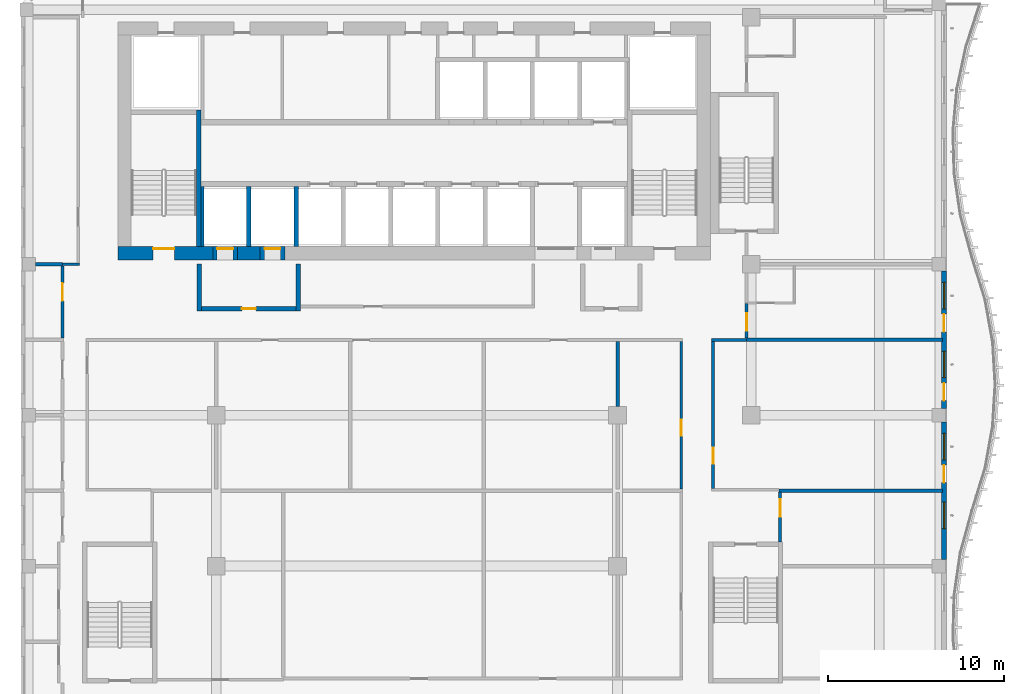
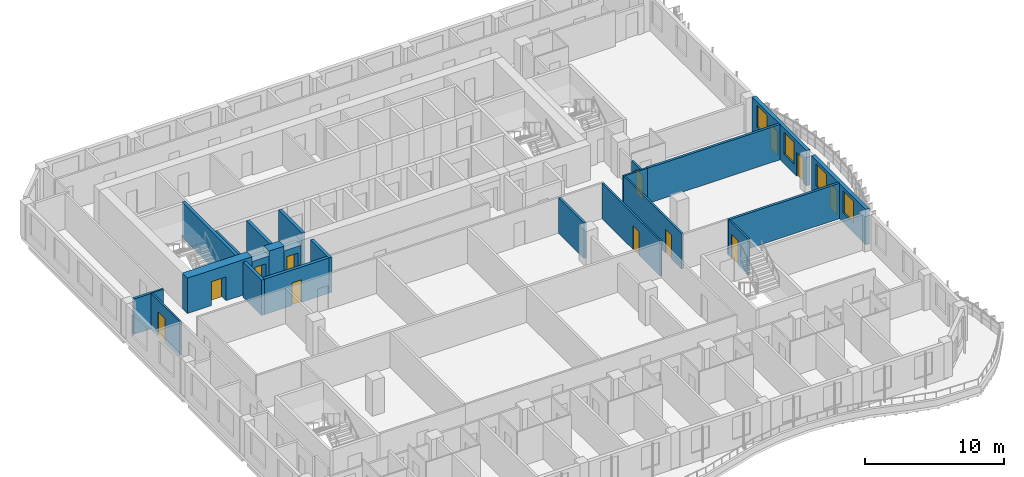
# One storey, part 6 of 23: 24 walls, 12 doors, 4 windows, 16 openings.
"""IFC4 building model written with IfcOpenShell, lengths in metres."""

from ifc_helpers import new_model, si_unit, direction, frame, frame_2d, origin, place, context, subcontext, project, spatial, rectangle, extrude, source, transform, mapped, material, layer, layer_set, type_object, element, fill, save


model = new_model("IFC4")

# Units and contexts
model_context = context("Model", 3, precision=1e-05, world=origin(), true_north=direction((0.0, 1.0)))
body_context = subcontext(model_context, "Body", "Model", "MODEL_VIEW")
ifc_project = project(units=[si_unit("LENGTHUNIT", "METRE"), si_unit("AREAUNIT", "SQUARE_METRE"), si_unit("VOLUMEUNIT", "CUBIC_METRE"), si_unit("PLANEANGLEUNIT", "RADIAN"), si_unit("MASSUNIT", "GRAM", prefix="KILO")], contexts=[model_context])

# Site, building, storey
site_placement = place(None, origin())
site = spatial("IfcSite", under=ifc_project, at=site_placement, CompositionType="ELEMENT")
building_placement = place(site_placement, origin())
building = spatial("IfcBuilding", under=site, at=building_placement, Name="Kilnfold Tower and Market Hall", CompositionType="ELEMENT")
storey_placement = place(building_placement, frame((0.0, 0.0, 203.300048828125)))
storey = spatial("IfcBuildingStorey", under=building, at=storey_placement, Name="L49", CompositionType="ELEMENT", Elevation=203.300048828125)

# Wall
ifc_material_1 = material(Name="Gypsum board on steel studs", Category="steel")
ifc_layer_1 = layer(ifc_material_1, 0.14990234375)
ifc_layer_set_1 = layer_set([ifc_layer_1], Name="Gypsum board on steel studs")
wall_type_1 = type_object("IfcWallType", Name="WALL CORRIDOR 150", PredefinedType="PARTITIONING", material=ifc_layer_set_1)
wall_1_placement = place(storey_placement, frame((-17.925048828125, 8.0, 0.0), z_axis=(0.0, 0.0, 1.0), x_axis=(-1.0, 0.0, 0.0)))
element("IfcWall", 1, at=wall_1_placement, inside=storey, type_object=wall_type_1, Name="Partition LY30.7", PredefinedType="PARTITIONING", context=body_context, shape_type="SweptSolid", body=[
    extrude(rectangle(XDim=0.975830078125, YDim=0.14990234375, at=frame_2d((0.48779296875, 0.0))), origin(), (0.0, 0.0, 1.0), 3.119873046875),
])

# Wall, opening, door
wall_2_placement = place(storey_placement, frame((-18.89990234375, 3.80908203125, 0.0), z_axis=(0.0, 0.0, 1.0), x_axis=(0.0, 1.0, 0.0)))
wall_2 = element("IfcWall", 2, at=wall_2_placement, inside=storey, type_object=wall_type_1, Name="Partition LY30.16", PredefinedType="PARTITIONING", context=body_context, shape_type="SweptSolid", body=[
    extrude(rectangle(XDim=4.091796875, YDim=0.14990234375, at=frame_2d((2.0458984375, 0.0))), origin(), (0.0, 0.0, 1.0), 3.119873046875),
])
opening_1_placement = place(wall_2_placement, frame((2.111083984375, 0.0, 0.0)))
opening_1 = element("IfcOpeningElement", 3, at=opening_1_placement, cuts=wall_2, Name="Opening D4", PredefinedType="OPENING", context=body_context, shape_type="SweptSolid", body=[
    extrude(rectangle(XDim=1.0, YDim=2.10009765625, at=frame_2d((0.5, 1.050048828125))), frame((0.0, 0.0849609375, 0.0), z_axis=(0.0, -1.0, 0.0), x_axis=(1.0, 0.0, 0.0)), (0.0, 0.0, 1.0), 0.169921875),
])
ifc_material_2 = material(Name="Timber veneer door leaf in steel frame", Category="steel")
door_type_1 = type_object("IfcDoorType", Name="DOOR SERVICE 1000 X2100", OperationType="NOTDEFINED", PredefinedType="DOOR", material=ifc_material_2)
door_1_placement = place(opening_1_placement, origin())
door_1 = element("IfcDoor", 4, at=door_1_placement, inside=storey, type_object=door_type_1, Name="Door D4", OperationType="SINGLE_SWING_LEFT", OverallHeight=2.10009765625, OverallWidth=1.0, PredefinedType="DOOR", context=body_context, shape_type="SweptSolid", body=[
    extrude(rectangle(XDim=1.0, YDim=2.10009765625, at=frame_2d((0.5, 1.050048828125))), frame((0.0, 0.02490234375, 0.0), z_axis=(0.0, -1.0, 0.0), x_axis=(1.0, 0.0, 0.0)), (0.0, 0.0, 1.0), 0.050048828125),
])
fill(opening_1, door_1)

wall_3_placement = place(storey_placement, frame((19.89990234375, 3.80908203125, 0.0), z_axis=(0.0, 0.0, 1.0), x_axis=(0.0, 1.0, 0.0)))
wall_3 = element("IfcWall", 5, at=wall_3_placement, inside=storey, type_object=wall_type_1, Name="Partition LY30.18", PredefinedType="PARTITIONING", context=body_context, shape_type="SweptSolid", body=[
    extrude(rectangle(XDim=1.950927734375, YDim=0.14990234375, at=frame_2d((0.9755859375, 0.0))), origin(), (0.0, 0.0, 1.0), 2.52001953125),
])
opening_2_placement = place(wall_3_placement, frame((0.419921875, 0.0, 0.0)))
opening_2 = element("IfcOpeningElement", 6, at=opening_2_placement, cuts=wall_3, Name="Opening D1", PredefinedType="OPENING", context=body_context, shape_type="SweptSolid", body=[
    extrude(rectangle(XDim=1.0, YDim=2.10009765625, at=frame_2d((0.5, 1.050048828125))), frame((0.0, 0.0849609375, 0.0), z_axis=(0.0, -1.0, 0.0), x_axis=(1.0, 0.0, 0.0)), (0.0, 0.0, 1.0), 0.169921875),
])
ifc_material_3 = material(Name="Timber veneer door leaf in steel frame", Category="steel")
door_type_2 = type_object("IfcDoorType", Name="DOOR ENTRY 1000 X2100", OperationType="NOTDEFINED", PredefinedType="DOOR", material=ifc_material_3)
door_2_placement = place(opening_2_placement, origin())
door_2 = element("IfcDoor", 7, at=door_2_placement, inside=storey, type_object=door_type_2, Name="Door D1", OperationType="SINGLE_SWING_LEFT", OverallHeight=2.10009765625, OverallWidth=1.0, PredefinedType="DOOR", context=body_context, shape_type="SweptSolid", body=[
    extrude(rectangle(XDim=1.0, YDim=2.10009765625, at=frame_2d((0.5, 1.050048828125))), frame((0.0, 0.02490234375, 0.0), z_axis=(0.0, -1.0, 0.0), x_axis=(1.0, 0.0, 0.0)), (0.0, 0.0, 1.0), 0.050048828125),
])
fill(opening_2, door_2)

# Wall
wall_4_placement = place(storey_placement, frame((17.925048828125, 3.699951171875, 0.0), z_axis=(0.0, 0.0, 1.0), x_axis=(1.0, 0.0, 0.0)))
element("IfcWall", 8, at=wall_4_placement, inside=storey, type_object=wall_type_1, Name="Partition LY30.25", PredefinedType="PARTITIONING", context=body_context, shape_type="SweptSolid", body=[
    extrude(rectangle(XDim=1.974853515625, YDim=0.14990234375, at=frame_2d((0.9873046875, 0.0))), origin(), (0.0, 0.0, 1.0), 3.119873046875),
])

# Wall, opening, door
wall_5_placement = place(storey_placement, frame((18.0, -4.72509765625, 0.0), z_axis=(0.0, 0.0, 1.0), x_axis=(0.0, 1.0, 0.0)))
wall_5 = element("IfcWall", 9, at=wall_5_placement, inside=storey, type_object=wall_type_1, Name="Partition LY30.26", PredefinedType="PARTITIONING", context=body_context, shape_type="SweptSolid", body=[
    extrude(rectangle(XDim=8.35009765625, YDim=0.14990234375, at=frame_2d((4.175048828125, 0.0))), origin(), (0.0, 0.0, 1.0), 3.119873046875),
])
opening_3_placement = place(wall_5_placement, frame((1.408935546875, 0.0, 0.0)))
opening_3 = element("IfcOpeningElement", 10, at=opening_3_placement, cuts=wall_5, Name="Opening D2", PredefinedType="OPENING", context=body_context, shape_type="SweptSolid", body=[
    extrude(rectangle(XDim=0.89990234375, YDim=2.10009765625, at=frame_2d((0.449951171875, 1.050048828125))), frame((0.0, 0.0849609375, 0.0), z_axis=(0.0, -1.0, 0.0), x_axis=(1.0, 0.0, 0.0)), (0.0, 0.0, 1.0), 0.169921875),
])
ifc_material_4 = material(Name="Timber veneer door leaf in steel frame", Category="steel")
door_type_3 = type_object("IfcDoorType", Name="DOOR ROOM 900 X2100", OperationType="NOTDEFINED", PredefinedType="DOOR", material=ifc_material_4)
door_3_placement = place(opening_3_placement, origin())
door_3 = element("IfcDoor", 11, at=door_3_placement, inside=storey, type_object=door_type_3, Name="Door D2", OperationType="SINGLE_SWING_LEFT", OverallHeight=2.10009765625, OverallWidth=0.89990234375, PredefinedType="DOOR", context=body_context, shape_type="SweptSolid", body=[
    extrude(rectangle(XDim=0.89990234375, YDim=2.10009765625, at=frame_2d((0.449951171875, 1.050048828125))), frame((0.0, 0.02490234375, 0.0), z_axis=(0.0, -1.0, 0.0), x_axis=(1.0, 0.0, 0.0)), (0.0, 0.0, 1.0), 0.050048828125),
])
fill(opening_3, door_3)

wall_6_placement = place(storey_placement, frame((21.800048828125, -7.75, 0.0), z_axis=(0.0, 0.0, 1.0), x_axis=(0.0, 1.0, 0.0)))
wall_6 = element("IfcWall", 12, at=wall_6_placement, inside=storey, type_object=wall_type_1, Name="Partition LY30.28", PredefinedType="PARTITIONING", context=body_context, shape_type="SweptSolid", body=[
    extrude(rectangle(XDim=2.81689453125, YDim=0.14990234375, at=frame_2d((1.408447265625, 0.0))), origin(), (0.0, 0.0, 1.0), 3.119873046875),
])
opening_4_placement = place(wall_6_placement, frame((1.4150390625, 0.0, 0.0)))
opening_4 = element("IfcOpeningElement", 13, at=opening_4_placement, cuts=wall_6, Name="Opening D4", PredefinedType="OPENING", context=body_context, shape_type="SweptSolid", body=[
    extrude(rectangle(XDim=1.0, YDim=2.10009765625, at=frame_2d((0.5, 1.050048828125))), frame((0.0, 0.0849609375, 0.0), z_axis=(0.0, -1.0, 0.0), x_axis=(1.0, 0.0, 0.0)), (0.0, 0.0, 1.0), 0.169921875),
])
door_4_placement = place(opening_4_placement, origin())
door_4 = element("IfcDoor", 14, at=door_4_placement, inside=storey, type_object=door_type_1, Name="Door D4", OperationType="SINGLE_SWING_LEFT", OverallHeight=2.10009765625, OverallWidth=1.0, PredefinedType="DOOR", context=body_context, shape_type="SweptSolid", body=[
    extrude(rectangle(XDim=1.0, YDim=2.10009765625, at=frame_2d((0.5, 1.050048828125))), frame((0.0, 0.02490234375, 0.0), z_axis=(0.0, -1.0, 0.0), x_axis=(1.0, 0.0, 0.0)), (0.0, 0.0, 1.0), 0.050048828125),
])
fill(opening_4, door_4)

wall_7_placement = place(storey_placement, frame((16.199951171875, -4.7529296875, 0.0), z_axis=(0.0, 0.0, 1.0), x_axis=(0.0, 1.0, 0.0)))
wall_7 = element("IfcWall", 15, at=wall_7_placement, inside=storey, type_object=wall_type_1, Name="Partition LY30.37", PredefinedType="PARTITIONING", context=body_context, shape_type="SweptSolid", body=[
    extrude(rectangle(XDim=8.3779296875, YDim=0.14990234375, at=frame_2d((4.18896484375, 0.0))), origin(), (0.0, 0.0, 1.0), 3.119873046875),
])
opening_5_placement = place(wall_7_placement, frame((3.031005859375, 0.0, 0.0)))
opening_5 = element("IfcOpeningElement", 16, at=opening_5_placement, cuts=wall_7, Name="Opening D2", PredefinedType="OPENING", context=body_context, shape_type="SweptSolid", body=[
    extrude(rectangle(XDim=0.89990234375, YDim=2.10009765625, at=frame_2d((0.449951171875, 1.050048828125))), frame((0.0, 0.0849609375, 0.0), z_axis=(0.0, -1.0, 0.0), x_axis=(1.0, 0.0, 0.0)), (0.0, 0.0, 1.0), 0.169921875),
])
door_5_placement = place(opening_5_placement, origin())
door_5 = element("IfcDoor", 17, at=door_5_placement, inside=storey, type_object=door_type_3, Name="Door D2", OperationType="SINGLE_SWING_LEFT", OverallHeight=2.10009765625, OverallWidth=0.89990234375, PredefinedType="DOOR", context=body_context, shape_type="SweptSolid", body=[
    extrude(rectangle(XDim=0.89990234375, YDim=2.10009765625, at=frame_2d((0.449951171875, 1.050048828125))), frame((0.0, 0.02490234375, 0.0), z_axis=(0.0, -1.0, 0.0), x_axis=(1.0, 0.0, 0.0)), (0.0, 0.0, 1.0), 0.050048828125),
])
fill(opening_5, door_5)

# Walls
ifc_material_5 = material(Name="Gypsum board on steel studs", Category="steel")
ifc_layer_2 = layer(ifc_material_5, 0.199951171875)
ifc_layer_set_2 = layer_set([ifc_layer_2], Name="Gypsum board on steel studs")
wall_type_2 = type_object("IfcWallType", Name="WALL PARTY 200", PredefinedType="PARTITIONING", material=ifc_layer_set_2)
wall_8_placement = place(storey_placement, frame((-20.425048828125, 8.0, 0.0), z_axis=(0.0, 0.0, 1.0), x_axis=(0.999999794741, 0.000640717472, 0.0)))
element("IfcWall", 18, at=wall_8_placement, inside=storey, type_object=wall_type_2, Name="Partition LY30.81", PredefinedType="PARTITIONING", context=body_context, shape_type="SweptSolid", body=[
    extrude(rectangle(XDim=1.524169921875, YDim=0.199951171875, at=frame_2d((0.76220703125, 0.0))), origin(), (0.0, 0.0, 1.0), 3.119873046875),
])
wall_9_placement = place(storey_placement, frame((19.902099609375, 3.718994140625, 0.0), z_axis=(0.0, 0.0, 1.0), x_axis=(1.0, 0.0, 0.0)))
element("IfcWall", 19, at=wall_9_placement, inside=storey, type_object=wall_type_2, Name="Partition LY30.91", PredefinedType="PARTITIONING", context=body_context, shape_type="SweptSolid", body=[
    extrude(rectangle(XDim=11.097900390625, YDim=0.199951171875, at=frame_2d((5.548828125, 0.0))), origin(), (0.0, 0.0, 1.0), 3.119873046875),
])
wall_10_placement = place(storey_placement, frame((21.72705078125, -4.843017578125, 0.0), z_axis=(0.0, 0.0, 1.0), x_axis=(1.0, 0.0, 0.0)))
element("IfcWall", 20, at=wall_10_placement, inside=storey, type_object=wall_type_2, Name="Partition LY30.97", PredefinedType="PARTITIONING", context=body_context, shape_type="SweptSolid", body=[
    extrude(rectangle(XDim=9.27294921875, YDim=0.199951171875, at=frame_2d((4.636474609375, 0.0))), origin(), (0.0, 0.0, 1.0), 3.119873046875),
])
wall_11_placement = place(storey_placement, frame((12.5830078125, -0.06201171875, 0.0), z_axis=(0.0, 0.0, 1.0), x_axis=(0.0, 1.0, 0.0)))
element("IfcWall", 21, at=wall_11_placement, inside=storey, type_object=wall_type_2, Name="Partition LY30.115", PredefinedType="PARTITIONING", context=body_context, shape_type="SweptSolid", body=[
    extrude(rectangle(XDim=3.68505859375, YDim=0.199951171875, at=frame_2d((1.842529296875, 0.0))), origin(), (0.0, 0.0, 1.0), 3.119873046875),
])
ifc_material_6 = material(Name="Concrete C60", Category="concrete")
ifc_layer_3 = layer(ifc_material_6, 0.25)
ifc_layer_set_3 = layer_set([ifc_layer_3], Name="Concrete C60")
wall_type_3 = type_object("IfcWallType", Name="CORE WALL 250 C60", PredefinedType="SHEAR", material=ifc_layer_set_3)
shared_shape_1 = source(origin(), body_context, "Body", "SweptSolid", [
    extrude(rectangle(XDim=7.75, YDim=0.25, at=frame_2d((3.875, 0.0))), origin(), (0.0, 0.0, 1.0), 3.119873046875),
])
wall_12_placement = place(storey_placement, frame((-11.175048828125, 9.0, 0.0), z_axis=(0.0, 0.0, 1.0), x_axis=(0.0, 1.0, 0.0)))
element("IfcWall", 22, at=wall_12_placement, inside=storey, type_object=wall_type_3, Name="Stair enclosure ST1", PredefinedType="SHEAR", context=body_context, shape_type="MappedRepresentation", body=[
    mapped(shared_shape_1, transform((0.0, 0.0, 0.0))),
])

# Wall, opening, door
ifc_material_7 = material(Name="Concrete C60", Category="concrete")
ifc_layer_4 = layer(ifc_material_7, 0.75)
ifc_layer_set_4 = layer_set([ifc_layer_4], Name="Concrete C60")
wall_type_4 = type_object("IfcWallType", Name="CORE WALL 750 C60", PredefinedType="SHEAR", material=ifc_layer_set_4)
shared_shape_2 = source(origin(), body_context, "Body", "SweptSolid", [
    extrude(rectangle(XDim=5.3798828125, YDim=0.75, at=frame_2d((2.68994140625, 0.0))), origin(), (0.0, 0.0, 1.0), 3.119873046875),
])
wall_13_placement = place(storey_placement, frame((-15.75, 8.625, 0.0), z_axis=(0.0, 0.0, 1.0), x_axis=(1.0, 0.0, 0.0)))
wall_13 = element("IfcWall", 23, at=wall_13_placement, inside=storey, type_object=wall_type_4, Name="Core outer wall south", PredefinedType="SHEAR", context=body_context, shape_type="MappedRepresentation", body=[
    mapped(shared_shape_2, transform((0.0, 0.0, 0.0))),
])
opening_6_placement = place(wall_13_placement, frame((2.0, 0.0, 0.0)))
opening_6 = element("IfcOpeningElement", 24, at=opening_6_placement, cuts=wall_13, Name="Opening SD1", PredefinedType="OPENING", context=body_context, shape_type="SweptSolid", body=[
    extrude(rectangle(XDim=1.199951171875, YDim=2.10009765625, at=frame_2d((0.60009765625, 1.050048828125))), frame((0.0, 0.385009765625, 0.0), z_axis=(0.0, -1.0, 0.0), x_axis=(1.0, 0.0, 0.0)), (0.0, 0.0, 1.0), 0.77001953125),
])
ifc_material_8 = material(Name="Steel door set with fire-resisting leaf", Category="steel")
door_type_4 = type_object("IfcDoorType", Name="STAIR FLOOR DOOR 1200X2100", OperationType="NOTDEFINED", PredefinedType="DOOR", material=ifc_material_8)
door_6_placement = place(opening_6_placement, origin())
door_6 = element("IfcDoor", 25, at=door_6_placement, inside=storey, type_object=door_type_4, Name="Exit stair ST1 door", OperationType="DOUBLE_DOOR_SINGLE_SWING", OverallHeight=2.10009765625, OverallWidth=1.199951171875, PredefinedType="DOOR", context=body_context, shape_type="SweptSolid", body=[
    extrude(rectangle(XDim=1.199951171875, YDim=2.10009765625, at=frame_2d((0.60009765625, 1.050048828125))), frame((0.0, 0.27978515625, 0.0), z_axis=(0.0, -1.0, 0.0), x_axis=(1.0, 0.0, 0.0)), (0.0, 0.0, 1.0), 0.050048828125),
])
fill(opening_6, door_6)

# Wall
shared_shape_3 = source(origin(), body_context, "Body", "SweptSolid", [
    extrude(rectangle(XDim=1.280029296875, YDim=0.75, at=frame_2d((0.64013671875, 0.0))), origin(), (0.0, 0.0, 1.0), 3.119873046875),
])
wall_14_placement = place(storey_placement, frame((-8.969970703125, 8.625, 0.0), z_axis=(0.0, 0.0, 1.0), x_axis=(1.0, 0.0, 0.0)))
element("IfcWall", 26, at=wall_14_placement, inside=storey, type_object=wall_type_4, Name="Core outer wall south", PredefinedType="SHEAR", context=body_context, shape_type="MappedRepresentation", body=[
    mapped(shared_shape_3, transform((0.0, 0.0, 0.0))),
])

# Wall, openings, door, windows
ifc_material_9 = material(Name="Precast concrete C50/60", Category="concrete")
ifc_layer_5 = layer(ifc_material_9, 0.300048828125)
ifc_layer_set_5 = layer_set([ifc_layer_5], Name="Precast concrete C50/60")
wall_type_5 = type_object("IfcWallType", Name="PRECAST WALL 300", PredefinedType="SOLIDWALL", material=ifc_layer_set_5)
shared_shape_4 = source(origin(), body_context, "Body", "SweptSolid", [
    extrude(rectangle(XDim=7.8125, YDim=0.300048828125, at=frame_2d((3.90625, 0.0))), origin(), (0.0, 0.0, 1.0), 3.119873046875),
])
wall_15_placement = place(storey_placement, frame((31.10009765625, -8.75, 0.0), z_axis=(0.0, 0.0, 1.0), x_axis=(0.0, 1.0, 0.0)))
wall_15 = element("IfcWall", 27, at=wall_15_placement, inside=storey, type_object=wall_type_5, Name="External wall L49 E", PredefinedType="SOLIDWALL", context=body_context, shape_type="MappedRepresentation", body=[
    mapped(shared_shape_4, transform((0.0, 0.0, 0.0))),
])
opening_7_placement = place(wall_15_placement, frame((1.75, 0.0, 0.85009765625)))
opening_7 = element("IfcOpeningElement", 28, at=opening_7_placement, cuts=wall_15, Name="Opening W4", PredefinedType="OPENING", context=body_context, shape_type="SweptSolid", body=[
    extrude(rectangle(XDim=1.5, YDim=1.949951171875, at=frame_2d((0.75, 0.97509765625))), frame((0.0, 0.16015625, 0.0), z_axis=(0.0, -1.0, 0.0), x_axis=(1.0, 0.0, 0.0)), (0.0, 0.0, 1.0), 0.320068359375),
])
opening_8_placement = place(wall_15_placement, frame((5.65625, 0.0, 0.85009765625)))
opening_8 = element("IfcOpeningElement", 29, at=opening_8_placement, cuts=wall_15, Name="Opening W4", PredefinedType="OPENING", context=body_context, shape_type="SweptSolid", body=[
    extrude(rectangle(XDim=1.5, YDim=1.949951171875, at=frame_2d((0.75, 0.97509765625))), frame((0.0, 0.16015625, 0.0), z_axis=(0.0, -1.0, 0.0), x_axis=(1.0, 0.0, 0.0)), (0.0, 0.0, 1.0), 0.320068359375),
])
opening_9_placement = place(wall_15_placement, frame((4.356201171875, 0.0, 0.0)))
opening_9 = element("IfcOpeningElement", 30, at=opening_9_placement, cuts=wall_15, Name="Opening BD1", PredefinedType="OPENING", context=body_context, shape_type="SweptSolid", body=[
    extrude(rectangle(XDim=1.0, YDim=2.10009765625, at=frame_2d((0.5, 1.050048828125))), frame((0.0, 0.16015625, 0.0), z_axis=(0.0, -1.0, 0.0), x_axis=(1.0, 0.0, 0.0)), (0.0, 0.0, 1.0), 0.320068359375),
])
ifc_material_10 = material(Name="Aluminium frame and double glazing", Category="aluminium")
door_type_5 = type_object("IfcDoorType", Name="BALCONY DOOR 1000X2100", OperationType="NOTDEFINED", PredefinedType="DOOR", material=ifc_material_10)
door_7_placement = place(opening_9_placement, origin())
door_7 = element("IfcDoor", 31, at=door_7_placement, inside=storey, type_object=door_type_5, Name="Balcony door BD1 L49 E-2", OperationType="SINGLE_SWING_RIGHT", OverallHeight=2.10009765625, OverallWidth=1.0, PredefinedType="DOOR", context=body_context, shape_type="SweptSolid", body=[
    extrude(rectangle(XDim=1.0, YDim=2.10009765625, at=frame_2d((0.5, 1.050048828125))), frame((0.0, 0.02490234375, 0.0), z_axis=(0.0, -1.0, 0.0), x_axis=(1.0, 0.0, 0.0)), (0.0, 0.0, 1.0), 0.050048828125),
])
fill(opening_9, door_7)
ifc_material_11 = material(Name="Aluminium frame and double glazing", Category="aluminium")
window_type = type_object("IfcWindowType", Name="WINDOW W4 1500X1950", PartitioningType="SINGLE_PANEL", PredefinedType="WINDOW", material=ifc_material_11)
window_1_placement = place(opening_7_placement, origin())
window_1 = element("IfcWindow", 32, at=window_1_placement, inside=storey, type_object=window_type, Name="Window W4 L49 E-1", OverallHeight=1.949951171875, OverallWidth=1.5, PartitioningType="SINGLE_PANEL", PredefinedType="WINDOW", context=body_context, shape_type="SweptSolid", body=[
    extrude(rectangle(XDim=1.5, YDim=1.949951171875, at=frame_2d((0.75, 0.97509765625))), frame((0.0, 0.030029296875, 0.0), z_axis=(0.0, -1.0, 0.0), x_axis=(1.0, 0.0, 0.0)), (0.0, 0.0, 1.0), 0.06005859375),
])
fill(opening_7, window_1)
window_2_placement = place(opening_8_placement, origin())
window_2 = element("IfcWindow", 33, at=window_2_placement, inside=storey, type_object=window_type, Name="Window W4 L49 E-2", OverallHeight=1.949951171875, OverallWidth=1.5, PartitioningType="SINGLE_PANEL", PredefinedType="WINDOW", context=body_context, shape_type="SweptSolid", body=[
    extrude(rectangle(XDim=1.5, YDim=1.949951171875, at=frame_2d((0.75, 0.97509765625))), frame((0.0, 0.030029296875, 0.0), z_axis=(0.0, -1.0, 0.0), x_axis=(1.0, 0.0, 0.0)), (0.0, 0.0, 1.0), 0.06005859375),
])
fill(opening_8, window_2)

# Wall, openings, doors, windows
wall_16_placement = place(storey_placement, frame((31.10009765625, -0.1875, 0.0), z_axis=(0.0, 0.0, 1.0), x_axis=(0.0, 1.0, 0.0)))
wall_16 = element("IfcWall", 34, at=wall_16_placement, inside=storey, type_object=wall_type_5, Name="External wall L49 E", PredefinedType="SOLIDWALL", context=body_context, shape_type="MappedRepresentation", body=[
    mapped(shared_shape_4, transform((0.0, 0.0, 0.0))),
])
opening_10_placement = place(wall_16_placement, frame((1.75, 0.0, 0.85009765625)))
opening_10 = element("IfcOpeningElement", 35, at=opening_10_placement, cuts=wall_16, Name="Opening W4", PredefinedType="OPENING", context=body_context, shape_type="SweptSolid", body=[
    extrude(rectangle(XDim=1.5, YDim=1.949951171875, at=frame_2d((0.75, 0.97509765625))), frame((0.0, 0.16015625, 0.0), z_axis=(0.0, -1.0, 0.0), x_axis=(1.0, 0.0, 0.0)), (0.0, 0.0, 1.0), 0.320068359375),
])
opening_11_placement = place(wall_16_placement, frame((0.449951171875, 0.0, 0.0)))
opening_11 = element("IfcOpeningElement", 36, at=opening_11_placement, cuts=wall_16, Name="Opening BD1", PredefinedType="OPENING", context=body_context, shape_type="SweptSolid", body=[
    extrude(rectangle(XDim=1.0, YDim=2.10009765625, at=frame_2d((0.5, 1.050048828125))), frame((0.0, 0.16015625, 0.0), z_axis=(0.0, -1.0, 0.0), x_axis=(1.0, 0.0, 0.0)), (0.0, 0.0, 1.0), 0.320068359375),
])
opening_12_placement = place(wall_16_placement, frame((5.65625, 0.0, 0.85009765625)))
opening_12 = element("IfcOpeningElement", 37, at=opening_12_placement, cuts=wall_16, Name="Opening W4", PredefinedType="OPENING", context=body_context, shape_type="SweptSolid", body=[
    extrude(rectangle(XDim=1.5, YDim=1.949951171875, at=frame_2d((0.75, 0.97509765625))), frame((0.0, 0.16015625, 0.0), z_axis=(0.0, -1.0, 0.0), x_axis=(1.0, 0.0, 0.0)), (0.0, 0.0, 1.0), 0.320068359375),
])
opening_13_placement = place(wall_16_placement, frame((4.356201171875, 0.0, 0.0)))
opening_13 = element("IfcOpeningElement", 38, at=opening_13_placement, cuts=wall_16, Name="Opening BD1", PredefinedType="OPENING", context=body_context, shape_type="SweptSolid", body=[
    extrude(rectangle(XDim=1.0, YDim=2.10009765625, at=frame_2d((0.5, 1.050048828125))), frame((0.0, 0.16015625, 0.0), z_axis=(0.0, -1.0, 0.0), x_axis=(1.0, 0.0, 0.0)), (0.0, 0.0, 1.0), 0.320068359375),
])
door_8_placement = place(opening_11_placement, origin())
door_8 = element("IfcDoor", 39, at=door_8_placement, inside=storey, type_object=door_type_5, Name="Balcony door BD1 L49 E-1", OperationType="SINGLE_SWING_LEFT", OverallHeight=2.10009765625, OverallWidth=1.0, PredefinedType="DOOR", context=body_context, shape_type="SweptSolid", body=[
    extrude(rectangle(XDim=1.0, YDim=2.10009765625, at=frame_2d((0.5, 1.050048828125))), frame((0.0, 0.02490234375, 0.0), z_axis=(0.0, -1.0, 0.0), x_axis=(1.0, 0.0, 0.0)), (0.0, 0.0, 1.0), 0.050048828125),
])
fill(opening_11, door_8)
door_9_placement = place(opening_13_placement, origin())
door_9 = element("IfcDoor", 40, at=door_9_placement, inside=storey, type_object=door_type_5, Name="Balcony door BD1 L49 E-2", OperationType="SINGLE_SWING_RIGHT", OverallHeight=2.10009765625, OverallWidth=1.0, PredefinedType="DOOR", context=body_context, shape_type="SweptSolid", body=[
    extrude(rectangle(XDim=1.0, YDim=2.10009765625, at=frame_2d((0.5, 1.050048828125))), frame((0.0, 0.02490234375, 0.0), z_axis=(0.0, -1.0, 0.0), x_axis=(1.0, 0.0, 0.0)), (0.0, 0.0, 1.0), 0.050048828125),
])
fill(opening_13, door_9)
window_3_placement = place(opening_10_placement, origin())
window_3 = element("IfcWindow", 41, at=window_3_placement, inside=storey, type_object=window_type, Name="Window W4 L49 E-1", OverallHeight=1.949951171875, OverallWidth=1.5, PartitioningType="SINGLE_PANEL", PredefinedType="WINDOW", context=body_context, shape_type="SweptSolid", body=[
    extrude(rectangle(XDim=1.5, YDim=1.949951171875, at=frame_2d((0.75, 0.97509765625))), frame((0.0, 0.030029296875, 0.0), z_axis=(0.0, -1.0, 0.0), x_axis=(1.0, 0.0, 0.0)), (0.0, 0.0, 1.0), 0.06005859375),
])
fill(opening_10, window_3)
window_4_placement = place(opening_12_placement, origin())
window_4 = element("IfcWindow", 42, at=window_4_placement, inside=storey, type_object=window_type, Name="Window W4 L49 E-2", OverallHeight=1.949951171875, OverallWidth=1.5, PartitioningType="SINGLE_PANEL", PredefinedType="WINDOW", context=body_context, shape_type="SweptSolid", body=[
    extrude(rectangle(XDim=1.5, YDim=1.949951171875, at=frame_2d((0.75, 0.97509765625))), frame((0.0, 0.030029296875, 0.0), z_axis=(0.0, -1.0, 0.0), x_axis=(1.0, 0.0, 0.0)), (0.0, 0.0, 1.0), 0.06005859375),
])
fill(opening_12, window_4)

# Walls
ifc_material_12 = material(Name="Gypsum shaft wall system")
ifc_layer_6 = layer(ifc_material_12, 0.25)
ifc_layer_set_6 = layer_set([ifc_layer_6], Name="Gypsum shaft wall system")
wall_type_6 = type_object("IfcWallType", Name="LOBBY WALL 250", PredefinedType="PARTITIONING", material=ifc_layer_set_6)
shared_shape_5 = source(origin(), body_context, "Body", "SweptSolid", [
    extrude(rectangle(XDim=2.64990234375, YDim=0.25, at=frame_2d((1.324951171875, 0.0))), origin(), (0.0, 0.0, 1.0), 3.119873046875),
])
for number, where, z_axis, x_axis, name in (
    (43, (-11.135009765625, 5.35009765625, 0.0), (0.0, 0.0, 1.0), (0.0, 1.0, 0.0), "Firefighting lobby wall"),
    (44, (-5.52490234375, 5.35009765625, 0.0), (0.0, 0.0, 1.0), (0.0, 1.0, 0.0), "Firefighting lobby wall"),
):
    element("IfcWall", number, at=place(storey_placement, frame(where, z_axis=z_axis, x_axis=x_axis)), inside=storey, type_object=wall_type_6, Name=name, PredefinedType="PARTITIONING", context=body_context, shape_type="MappedRepresentation", body=[
        mapped(shared_shape_5, transform((0.0, 0.0, 0.0))),
    ])

# Wall, opening, door
shared_shape_6 = source(origin(), body_context, "Body", "SweptSolid", [
    extrude(rectangle(XDim=5.360107421875, YDim=0.25, at=frame_2d((2.68017578125, 0.0))), origin(), (0.0, 0.0, 1.0), 3.119873046875),
])
wall_17_placement = place(storey_placement, frame((-11.010009765625, 5.47509765625, 0.0), z_axis=(0.0, 0.0, 1.0), x_axis=(1.0, 0.0, 0.0)))
wall_17 = element("IfcWall", 45, at=wall_17_placement, inside=storey, type_object=wall_type_6, Name="Firefighting lobby wall", PredefinedType="PARTITIONING", context=body_context, shape_type="MappedRepresentation", body=[
    mapped(shared_shape_6, transform((0.0, 0.0, 0.0))),
])
opening_14_placement = place(wall_17_placement, frame((2.280029296875, 0.0, 0.0)))
opening_14 = element("IfcOpeningElement", 46, at=opening_14_placement, cuts=wall_17, Name="Opening VD1", PredefinedType="OPENING", context=body_context, shape_type="SweptSolid", body=[
    extrude(rectangle(XDim=0.800048828125, YDim=2.0, at=frame_2d((0.39990234375, 1.0))), frame((0.0, 0.135009765625, 0.0), z_axis=(0.0, -1.0, 0.0), x_axis=(1.0, 0.0, 0.0)), (0.0, 0.0, 1.0), 0.27001953125),
])
ifc_material_13 = material(Name="Steel door set with fire-resisting leaf", Category="steel")
door_type_6 = type_object("IfcDoorType", Name="FIREFIGHTING LOBBY DOOR 800X2000", OperationType="NOTDEFINED", PredefinedType="DOOR", material=ifc_material_13)
door_10_placement = place(opening_14_placement, origin())
door_10 = element("IfcDoor", 47, at=door_10_placement, inside=storey, type_object=door_type_6, Name="Firefighting lobby door", OperationType="SINGLE_SWING_LEFT", OverallHeight=2.0, OverallWidth=0.800048828125, PredefinedType="DOOR", context=body_context, shape_type="SweptSolid", body=[
    extrude(rectangle(XDim=0.800048828125, YDim=2.0, at=frame_2d((0.39990234375, 1.0))), frame((0.0, 0.02490234375, 0.0), z_axis=(0.0, -1.0, 0.0), x_axis=(1.0, 0.0, 0.0)), (0.0, 0.0, 1.0), 0.050048828125),
])
fill(opening_14, door_10)

# Walls
ifc_material_14 = material(Name="Gypsum shaft wall system")
ifc_layer_7 = layer(ifc_material_14, 0.25)
ifc_layer_set_7 = layer_set([ifc_layer_7], Name="Gypsum shaft wall system")
wall_type_7 = type_object("IfcWallType", Name="SHAFT WALL 250", PredefinedType="PARTITIONING", material=ifc_layer_set_7)
shared_shape_7 = source(origin(), body_context, "Body", "SweptSolid", [
    extrude(rectangle(XDim=3.39990234375, YDim=0.25, at=frame_2d((1.699951171875, 0.0))), origin(), (0.0, 0.0, 1.0), 3.119873046875),
])
for number, where, z_axis, x_axis, name in (
    (48, (-5.64990234375, 9.0, 0.0), (0.0, 0.0, 1.0), (0.0, 1.0, 0.0), "Lift shaft wall"),
    (49, (-8.330078125, 9.0, 0.0), (0.0, 0.0, 1.0), (0.0, 1.0, 0.0), "Lift shaft wall"),
):
    element("IfcWall", number, at=place(storey_placement, frame(where, z_axis=z_axis, x_axis=x_axis)), inside=storey, type_object=wall_type_7, Name=name, PredefinedType="PARTITIONING", context=body_context, shape_type="MappedRepresentation", body=[
        mapped(shared_shape_7, transform((0.0, 0.0, 0.0))),
    ])
ifc_material_15 = material(Name="Gypsum shaft wall system")
ifc_layer_8 = layer(ifc_material_15, 0.1650390625)
ifc_layer_set_8 = layer_set([ifc_layer_8], Name="Gypsum shaft wall system")
wall_type_8 = type_object("IfcWallType", Name="SHAFT WALL 165", PredefinedType="PARTITIONING", material=ifc_layer_set_8)
shared_shape_8 = source(origin(), body_context, "Body", "SweptSolid", [
    extrude(rectangle(XDim=3.39990234375, YDim=0.1650390625, at=frame_2d((1.699951171875, 0.0))), origin(), (0.0, 0.0, 1.0), 3.119873046875),
])
wall_18_placement = place(storey_placement, frame((-10.967529296875, 9.0, 0.0), z_axis=(0.0, 0.0, 1.0), x_axis=(0.0, 1.0, 0.0)))
element("IfcWall", 50, at=wall_18_placement, inside=storey, type_object=wall_type_8, Name="Lift shaft wall", PredefinedType="PARTITIONING", context=body_context, shape_type="MappedRepresentation", body=[
    mapped(shared_shape_8, transform((0.0, 0.0, 0.0))),
])

# Wall, opening, door
ifc_material_16 = material(Name="Gypsum shaft wall system")
ifc_layer_9 = layer(ifc_material_16, 0.75)
ifc_layer_set_9 = layer_set([ifc_layer_9], Name="Gypsum shaft wall system")
wall_type_9 = type_object("IfcWallType", Name="LOBBY WALL 750", PredefinedType="PARTITIONING", material=ifc_layer_set_9)
shared_shape_9 = source(origin(), body_context, "Body", "SweptSolid", [
    extrude(rectangle(XDim=1.400146484375, YDim=0.75, at=frame_2d((0.7001953125, 0.0))), origin(), (0.0, 0.0, 1.0), 2.699951171875),
])
wall_19_placement = place(storey_placement, frame((-10.3701171875, 8.625, 0.0), z_axis=(0.0, 0.0, 1.0), x_axis=(1.0, 0.0, 0.0)))
wall_19 = element("IfcWall", 51, at=wall_19_placement, inside=storey, type_object=wall_type_9, Name="Core wall infill", PredefinedType="PARTITIONING", context=body_context, shape_type="MappedRepresentation", body=[
    mapped(shared_shape_9, transform((0.0, 0.0, 0.0))),
])
opening_15_placement = place(wall_19_placement, frame((0.25, 0.0, 0.0)))
opening_15 = element("IfcOpeningElement", 52, at=opening_15_placement, cuts=wall_19, Name="Opening LD1", PredefinedType="OPENING", context=body_context, shape_type="SweptSolid", body=[
    extrude(rectangle(XDim=0.89990234375, YDim=2.10009765625, at=frame_2d((0.449951171875, 1.050048828125))), frame((0.0, 0.385009765625, 0.0), z_axis=(0.0, -1.0, 0.0), x_axis=(1.0, 0.0, 0.0)), (0.0, 0.0, 1.0), 0.77001953125),
])
ifc_material_17 = material(Name="Steel door set with fire-resisting leaf", Category="steel")
door_type_7 = type_object("IfcDoorType", Name="FIREFIGHTING LANDING DOOR 900X2100", OperationType="NOTDEFINED", PredefinedType="DOOR", material=ifc_material_17)
door_11_placement = place(opening_15_placement, origin())
door_11 = element("IfcDoor", 53, at=door_11_placement, inside=storey, type_object=door_type_7, Name="Landing door FF1", OperationType="SLIDING_TO_LEFT", OverallHeight=2.10009765625, OverallWidth=0.89990234375, PredefinedType="DOOR", context=body_context, shape_type="SweptSolid", body=[
    extrude(rectangle(XDim=0.89990234375, YDim=2.10009765625, at=frame_2d((0.449951171875, 1.050048828125))), frame((0.0, 0.27978515625, 0.0), z_axis=(0.0, -1.0, 0.0), x_axis=(1.0, 0.0, 0.0)), (0.0, 0.0, 1.0), 0.050048828125),
])
fill(opening_15, door_11)

shared_shape_10 = source(origin(), body_context, "Body", "SweptSolid", [
    extrude(rectangle(XDim=1.39990234375, YDim=0.75, at=frame_2d((0.699951171875, 0.0))), origin(), (0.0, 0.0, 1.0), 2.699951171875),
])
wall_20_placement = place(storey_placement, frame((-7.68994140625, 8.625, 0.0), z_axis=(0.0, 0.0, 1.0), x_axis=(1.0, 0.0, 0.0)))
wall_20 = element("IfcWall", 54, at=wall_20_placement, inside=storey, type_object=wall_type_9, Name="Core wall infill", PredefinedType="PARTITIONING", context=body_context, shape_type="MappedRepresentation", body=[
    mapped(shared_shape_10, transform((0.0, 0.0, 0.0))),
])
opening_16_placement = place(wall_20_placement, frame((0.25, 0.0, 0.0)))
opening_16 = element("IfcOpeningElement", 55, at=opening_16_placement, cuts=wall_20, Name="Opening LD1", PredefinedType="OPENING", context=body_context, shape_type="SweptSolid", body=[
    extrude(rectangle(XDim=0.89990234375, YDim=2.10009765625, at=frame_2d((0.449951171875, 1.050048828125))), frame((0.0, 0.385009765625, 0.0), z_axis=(0.0, -1.0, 0.0), x_axis=(1.0, 0.0, 0.0)), (0.0, 0.0, 1.0), 0.77001953125),
])
door_12_placement = place(opening_16_placement, origin())
door_12 = element("IfcDoor", 56, at=door_12_placement, inside=storey, type_object=door_type_7, Name="Landing door FF2", OperationType="SLIDING_TO_RIGHT", OverallHeight=2.10009765625, OverallWidth=0.89990234375, PredefinedType="DOOR", context=body_context, shape_type="SweptSolid", body=[
    extrude(rectangle(XDim=0.89990234375, YDim=2.10009765625, at=frame_2d((0.449951171875, 1.050048828125))), frame((0.0, 0.27978515625, 0.0), z_axis=(0.0, -1.0, 0.0), x_axis=(1.0, 0.0, 0.0)), (0.0, 0.0, 1.0), 0.050048828125),
])
fill(opening_16, door_12)

save(model, "model.ifc")
